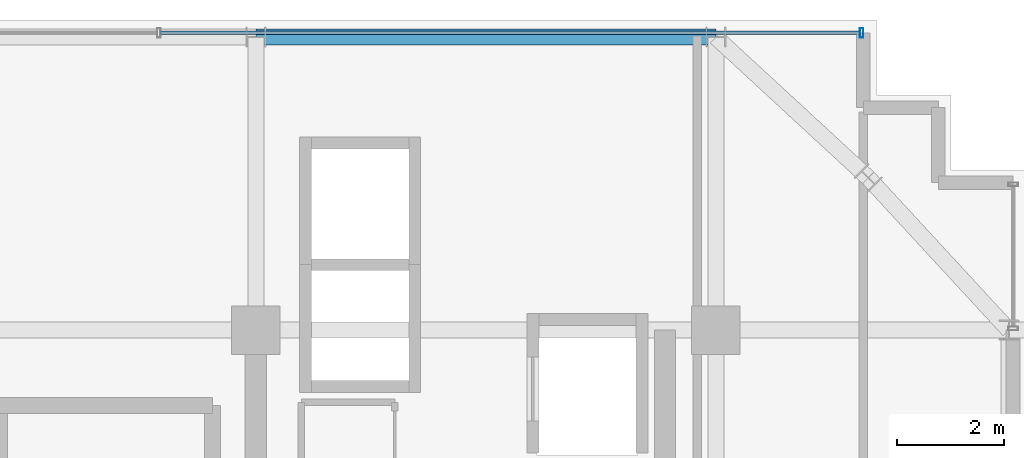
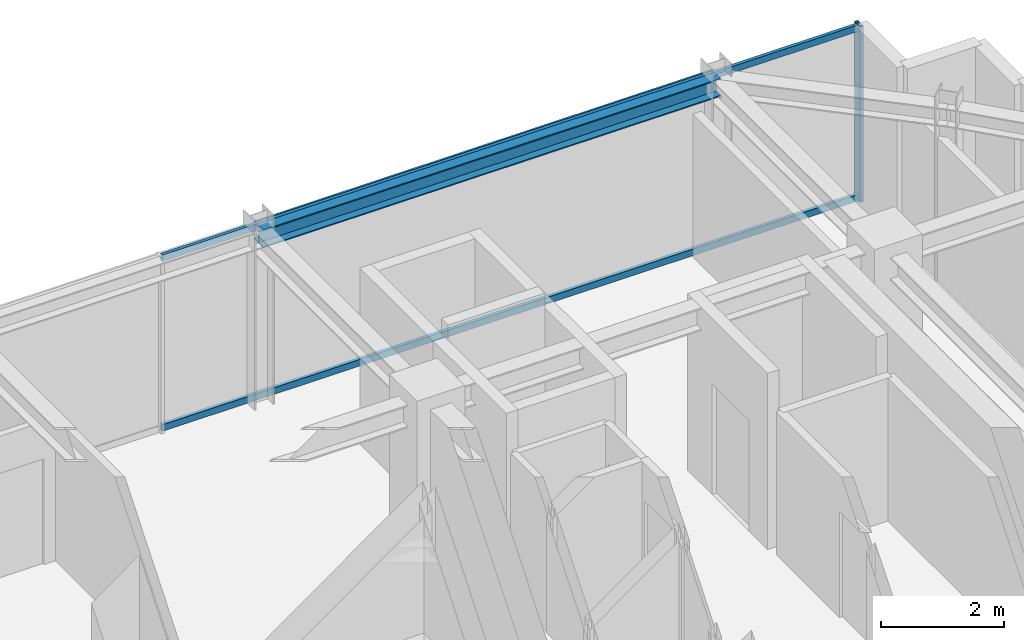
# One storey, part 25 of 33: 3 members, 1 beam, 1 element without a shape of its own.
"""IFC4 building model written with IfcOpenShell, lengths in metres."""

import ifcopenshell
import ifcopenshell.guid

model = None  # the IFC model being written
_history = None  # IfcOwnerHistory: only IFC2X3 demands one
_inside = {}  # id of a spatial element -> (the spatial element, [elements in it])
_under = {}  # id of a project, library or spatial element -> (it, [spatial elements below it])
_declared = {}  # id of a project -> (the project, [libraries it declares])
_typed = {}  # id of a type object -> (the type object, [elements of that type])
_made_of = {}  # id of a material, layer set ... -> (it, [elements and type objects made of it])


def new_model(schema):
    """Start an empty IFC model of exactly this schema.

    Asked for "IFC4X3", IfcOpenShell would pick the latest addendum, in which some entities
    have other attributes; the version numbers below select the first issue.
    IFC2X3 requires an IfcOwnerHistory on every rooted entity: one is made here for all.
    """
    global model, _history
    if schema == "IFC4X3":
        model = ifcopenshell.file(schema_version=(4, 3, 0, 0))
    else:
        model = ifcopenshell.file(schema=schema)
    _inside.clear()
    _under.clear()
    _declared.clear()
    _typed.clear()
    _made_of.clear()
    _history = None
    if model.schema == "IFC2X3":
        org = make("IfcOrganization", Name="unknown")
        user = make(
            "IfcPersonAndOrganization",
            ThePerson=make("IfcPerson", FamilyName="unknown"),
            TheOrganization=org,
        )
        app = make(
            "IfcApplication",
            ApplicationDeveloper=org,
            Version="unknown",
            ApplicationFullName="unknown",
            ApplicationIdentifier="unknown",
        )
        _history = make(
            "IfcOwnerHistory",
            OwningUser=user,
            OwningApplication=app,
            ChangeAction="ADDED",
            CreationDate=0,
        )
    return model


def make(cls, **values):
    """One entity of the class cls with the attributes given. An attribute that is None is left unset."""
    return model.create_entity(
        cls, **{name: value for name, value in values.items() if value is not None}
    )


def rooted(cls, **values):
    """An entity with a GlobalId (a new one), such as an element, a storey or a relation."""
    return make(cls, GlobalId=ifcopenshell.guid.new(), OwnerHistory=_history, **values)


def si_unit(unit_type, name, prefix=None):
    """IfcSIUnit, for example si_unit("LENGTHUNIT", "METRE", prefix="MILLI")."""
    return make("IfcSIUnit", UnitType=unit_type, Prefix=prefix, Name=name)


def assignment(units):
    """IfcUnitAssignment: the units of a project."""
    return None if units is None else make("IfcUnitAssignment", Units=units)


def point(xyz):
    """IfcCartesianPoint."""
    return None if xyz is None else make("IfcCartesianPoint", Coordinates=xyz)


def direction(xyz):
    """IfcDirection."""
    return None if xyz is None else make("IfcDirection", DirectionRatios=xyz)


def frame(location, z_axis=None, x_axis=None):
    """IfcAxis2Placement3D, a coordinate frame: its origin and axes. An axis left out is left unset."""
    return make(
        "IfcAxis2Placement3D",
        Location=point(location),
        Axis=direction(z_axis),
        RefDirection=direction(x_axis),
    )


def frame_2d(location, x_axis=None):
    """IfcAxis2Placement2D, a coordinate frame in the plane: its origin and x axis."""
    return make(
        "IfcAxis2Placement2D", Location=point(location), RefDirection=direction(x_axis)
    )


def origin():
    """The frame at (0, 0, 0) with its axes left unset."""
    return frame((0.0, 0.0, 0.0))


def origin_2d():
    """The frame at (0, 0) in the plane with its x axis left unset."""
    return frame_2d((0.0, 0.0))


def place(relative_to, where):
    """IfcLocalPlacement: puts the frame where relative to a parent placement (None: the world)."""
    return make(
        "IfcLocalPlacement", PlacementRelTo=relative_to, RelativePlacement=where
    )


def context(
    kind, dimensions, precision=None, world=None, true_north=None, identifier=None
):
    """IfcGeometricRepresentationContext, for example the 3D "Model" context."""
    return make(
        "IfcGeometricRepresentationContext",
        ContextIdentifier=identifier,
        ContextType=kind,
        CoordinateSpaceDimension=dimensions,
        Precision=precision,
        WorldCoordinateSystem=world,
        TrueNorth=true_north,
    )


def subcontext(parent, identifier, kind, view, scale=None):
    """IfcGeometricRepresentationSubContext, for example "Body" below "Model"."""
    return make(
        "IfcGeometricRepresentationSubContext",
        ContextIdentifier=identifier,
        ContextType=kind,
        ParentContext=parent,
        TargetScale=scale,
        TargetView=view,
    )


def project(units=None, contexts=None):
    """IfcProject with its units and contexts."""
    return rooted(
        "IfcProject",
        Name="project",
        RepresentationContexts=contexts,
        UnitsInContext=assignment(units),
    )


def spatial(cls, under=None, at=None, **own):
    """A site, building, storey or space (cls), placed at a placement, below another one or the project."""
    s = rooted(cls, ObjectPlacement=at, **own)
    if under is not None:
        _under.setdefault(under.id(), (under, []))[1].append(s)
    return s


def profile(cls, at=None, kind="AREA", **sizes):
    """A parametric profile (cls). Its sizes go by their IFC names, for example OverallWidth=200.0."""
    return make(cls, ProfileType=kind, Position=at, **sizes)


def hollow_rectangle(**sizes):
    """IfcRectangleHollowProfileDef."""
    return profile("IfcRectangleHollowProfileDef", **sizes)


def i_section(**sizes):
    """IfcIShapeProfileDef."""
    return profile("IfcIShapeProfileDef", **sizes)


def extrude(swept, where, along, depth):
    """IfcExtrudedAreaSolid: the profile swept, set in the frame where, extruded along a direction by depth."""
    return make(
        "IfcExtrudedAreaSolid",
        SweptArea=swept,
        Position=where,
        ExtrudedDirection=direction(along),
        Depth=depth,
    )


def shape(context_of_items, identifier, shape_type, items):
    """IfcShapeRepresentation: the items that make up one representation, for example the "Body"."""
    return make(
        "IfcShapeRepresentation",
        ContextOfItems=context_of_items,
        RepresentationIdentifier=identifier,
        RepresentationType=shape_type,
        Items=items,
    )


def source(mapping_origin, context_of_items, identifier, shape_type, items):
    """IfcRepresentationMap: a shape defined once, which mapped items show again and again."""
    return make(
        "IfcRepresentationMap",
        MappingOrigin=mapping_origin,
        MappedRepresentation=shape(context_of_items, identifier, shape_type, items),
    )


def transform(
    local_origin,
    x_axis=None,
    y_axis=None,
    z_axis=None,
    scale=None,
    scale2=None,
    scale3=None,
    uniform=True,
):
    """IfcCartesianTransformationOperator3D, or its non-uniform kind. x_axis, y_axis, z_axis: its Axis1, 2, 3."""
    if uniform:
        return make(
            "IfcCartesianTransformationOperator3D",
            Axis1=direction(x_axis),
            Axis2=direction(y_axis),
            LocalOrigin=point(local_origin),
            Scale=scale,
            Axis3=direction(z_axis),
        )
    return make(
        "IfcCartesianTransformationOperator3DnonUniform",
        Axis1=direction(x_axis),
        Axis2=direction(y_axis),
        LocalOrigin=point(local_origin),
        Scale=scale,
        Axis3=direction(z_axis),
        Scale2=scale2,
        Scale3=scale3,
    )


def mapped(mapping_source, mapping_target):
    """IfcMappedItem: shows the shape of a source again, moved by a transform."""
    return make(
        "IfcMappedItem", MappingSource=mapping_source, MappingTarget=mapping_target
    )


def material(Name=None, Category=None):
    """IfcMaterial."""
    return make("IfcMaterial", Name=Name, Category=Category)


def material_profile(
    of_material, cross_section, Name=None, Category=None, Priority=None
):
    """IfcMaterialProfile: a cross section and its material."""
    return make(
        "IfcMaterialProfile",
        Name=Name,
        Material=of_material,
        Profile=cross_section,
        Priority=Priority,
        Category=Category,
    )


def profile_set(profiles, Name=None, composite=None):
    """IfcMaterialProfileSet."""
    return make(
        "IfcMaterialProfileSet",
        Name=Name,
        MaterialProfiles=profiles,
        CompositeProfile=composite,
    )


def made_of(thing, what):
    """Note that an element or type object is made of a material, layer set ...; save() writes the relation."""
    if what is not None:
        _made_of.setdefault(what.id(), (what, []))[1].append(thing)
    return thing


def type_object(cls, material=None, **own):
    """A type object (cls), such as IfcWallType, which elements share."""
    return made_of(rooted(cls, **own), material)


def element(
    cls,
    number,
    at=None,
    inside=None,
    cuts=None,
    type_object=None,
    material=None,
    context=None,
    identifier="Body",
    shape_type=None,
    held_by="IfcProductDefinitionShape",
    body=None,
    shapes=None,
    **own,
):
    """One element of the class cls, such as IfcWall. Its Tag is "e" and its number.

    at: its placement. inside: the storey or other place that contains it. cuts: it is an
    opening in that element (IfcRelVoidsElement). A single representation is given by context,
    identifier, shape_type and body (its items); several are given by shapes. held_by: the class
    of the entity that holds the representations. save() writes the other relations.
    """
    e = rooted(cls, Tag="e%d" % number, ObjectPlacement=at, **own)
    if body is not None:
        shapes = [shape(context, identifier, shape_type, body)]
    if shapes is not None:
        e.Representation = make(held_by, Representations=shapes)
    if inside is not None:
        _inside.setdefault(inside.id(), (inside, []))[1].append(e)
    if cuts is not None:
        rooted(
            "IfcRelVoidsElement", RelatingBuildingElement=cuts, RelatedOpeningElement=e
        )
    if type_object is not None:
        _typed.setdefault(type_object.id(), (type_object, []))[1].append(e)
    return made_of(e, material)


def aggregate(whole, parts):
    """IfcRelAggregates: a whole, such as a stair, and the parts it consists of."""
    return rooted("IfcRelAggregates", RelatingObject=whole, RelatedObjects=parts)


def save(model, path):
    """Write the relations noted so far, then the file.

    IfcRelAggregates (storeys below a building ...), IfcRelContainedInSpatialStructure (elements
    in a storey), IfcRelDefinesByType, IfcRelAssociatesMaterial and IfcRelDeclares: one each for
    every whole, place, type object, material and project.
    """
    for whole, parts in _under.values():
        aggregate(whole, parts)
    for where, things in _inside.values():
        rooted(
            "IfcRelContainedInSpatialStructure",
            RelatedElements=things,
            RelatingStructure=where,
        )
    for kind, things in _typed.values():
        rooted("IfcRelDefinesByType", RelatedObjects=things, RelatingType=kind)
    for what, things in _made_of.values():
        rooted("IfcRelAssociatesMaterial", RelatedObjects=things, RelatingMaterial=what)
    for by, libraries in _declared.values():
        rooted("IfcRelDeclares", RelatingContext=by, RelatedDefinitions=libraries)
    model.write(path)


model = new_model("IFC4")

# Units and contexts
model_context = context("Model", 3, precision=1e-05, world=origin(), true_north=direction((0.0, 1.0)))
body_context = subcontext(model_context, "Body", "Model", "MODEL_VIEW")
ifc_project = project(units=[si_unit("LENGTHUNIT", "METRE"), si_unit("AREAUNIT", "SQUARE_METRE"), si_unit("VOLUMEUNIT", "CUBIC_METRE"), si_unit("PLANEANGLEUNIT", "RADIAN"), si_unit("MASSUNIT", "GRAM", prefix="KILO")], contexts=[model_context])

# Site, building, storey
site_placement = place(None, origin())
site = spatial("IfcSite", under=ifc_project, at=site_placement, CompositionType="ELEMENT")
building_placement = place(site_placement, origin())
building = spatial("IfcBuilding", under=site, at=building_placement, Name="Nahalor Promenade Grand Hotel", CompositionType="ELEMENT")
storey_placement = place(building_placement, frame((0.0, 0.0, 315.75)))
storey = spatial("IfcBuildingStorey", under=building, at=storey_placement, Name="L81", CompositionType="ELEMENT", Elevation=315.75)

# Beam
ifc_material_1 = material(Name="Steel S355JR", Category="steel")
ifc_material_profile_1 = material_profile(ifc_material_1, i_section(OverallWidth=0.3, OverallDepth=0.36, WebThickness=0.0125, FlangeThickness=0.0225, at=origin_2d()), Name="HEB 360")
ifc_profile_set_1 = profile_set([ifc_material_profile_1], Name="Steel S355JR")
beam_type = type_object("IfcBeamType", Name="Beam-Spandrel-HEB360", PredefinedType="SPANDREL", material=ifc_profile_set_1)
shared_shape_1 = source(origin(), body_context, "Body", "SweptSolid", [
    extrude(i_section(OverallWidth=0.3, OverallDepth=0.36, WebThickness=0.0125, FlangeThickness=0.0225, at=origin_2d()), origin(), (0.0, 0.0, 1.0), 8.60009765625),
])
beam_placement = place(storey_placement, frame((8.39990234375, 22.47998046875, 3.320068359375), z_axis=(1.0, 0.0, 0.0), x_axis=(0.0, 1.0, 0.0)))
element("IfcBeam", 1, at=beam_placement, inside=storey, type_object=beam_type, Name="BM-L81-SP-N-4", PredefinedType="SPANDREL", context=body_context, shape_type="MappedRepresentation", body=[
    mapped(shared_shape_1, transform((0.0, 0.0, 0.0), scale=1.0)),
])

# Curtain wall, members
ifc_material_2 = material(Name="Anodised Bronze Aluminium EN AW-6063 T6", Category="aluminium")
curtain_wall_type = type_object("IfcCurtainWallType", Name="CW2 Typical Hotel Flush Bronze Unitised Curtain Wall", PredefinedType="USERDEFINED", material=ifc_material_2)
curtain_wall_placement = place(storey_placement, origin())
curtain_wall = element("IfcCurtainWall", 2, at=curtain_wall_placement, inside=storey, type_object=curtain_wall_type, Name="L81 Curtain Wall CW-L81-N-1", ObjectType="UNITISED_CURTAIN_WALL", PredefinedType="USERDEFINED")
ifc_material_profile_2 = material_profile(ifc_material_2, hollow_rectangle(XDim=0.065, YDim=0.13, WallThickness=0.004, at=origin_2d()), Name="CWT 65x130x4")
ifc_profile_set_2 = profile_set([ifc_material_profile_2], Name="Anodised Bronze Aluminium EN AW-6063 T6")
member_type_1 = type_object("IfcMemberType", Name="CWT2 Typical Bronze Transom 65x130", PredefinedType="USERDEFINED", material=ifc_profile_set_2)
shared_shape_2 = source(origin(), body_context, "Body", "SweptSolid", [
    extrude(hollow_rectangle(XDim=0.065, YDim=0.13, WallThickness=0.004, at=origin_2d()), origin(), (0.0, 0.0, 1.0), 13.075927734375),
])
member_1_placement = place(storey_placement, frame((6.619140625, 22.56005859375, 0.06494140625), z_axis=(1.0, 0.0, 0.0), x_axis=(0.0, 1.0, 0.0)))
member_1 = element("IfcMember", 3, at=member_1_placement, type_object=member_type_1, Name="CW-L81-N-1 Transom 2-0", ObjectType="TRANSOM", PredefinedType="USERDEFINED", context=body_context, shape_type="MappedRepresentation", body=[
    mapped(shared_shape_2, transform((0.0, 0.0, 0.0), scale=1.0)),
])
member_2_placement = place(storey_placement, frame((6.619140625, 22.56005859375, 3.43505859375), z_axis=(1.0, 0.0, 0.0), x_axis=(0.0, 1.0, 0.0)))
member_2 = element("IfcMember", 4, at=member_2_placement, type_object=member_type_1, Name="CW-L81-N-1 Transom 2-1", ObjectType="TRANSOM", PredefinedType="USERDEFINED", context=body_context, shape_type="MappedRepresentation", body=[
    mapped(shared_shape_2, transform((0.0, 0.0, 0.0), scale=1.0)),
])
ifc_material_profile_3 = material_profile(ifc_material_2, hollow_rectangle(XDim=0.065, YDim=0.18, WallThickness=0.004, at=origin_2d()), Name="CWM 65x180x4")
ifc_profile_set_3 = profile_set([ifc_material_profile_3], Name="Anodised Bronze Aluminium EN AW-6063 T6")
member_type_2 = type_object("IfcMemberType", Name="CWM2 Typical Bronze Mullion 65x180", PredefinedType="MULLION", material=ifc_profile_set_3)
shared_shape_3 = source(origin(), body_context, "Body", "SweptSolid", [
    extrude(hollow_rectangle(XDim=0.065, YDim=0.18, WallThickness=0.004, at=origin_2d()), origin(), (0.0, 0.0, 1.0), 3.5),
])
member_3_placement = place(storey_placement, frame((19.7275390625, 22.56005859375, 0.0), z_axis=(0.0, 0.0, 1.0), x_axis=(1.0, 0.0, 0.0)))
member_3 = element("IfcMember", 5, at=member_3_placement, type_object=member_type_2, Name="CW-L81-N-1 Mullion 3", PredefinedType="MULLION", context=body_context, shape_type="MappedRepresentation", body=[
    mapped(shared_shape_3, transform((0.0, 0.0, 0.0), scale=1.0)),
])
aggregate(curtain_wall, [member_3, member_1, member_2])

save(model, "model.ifc")
